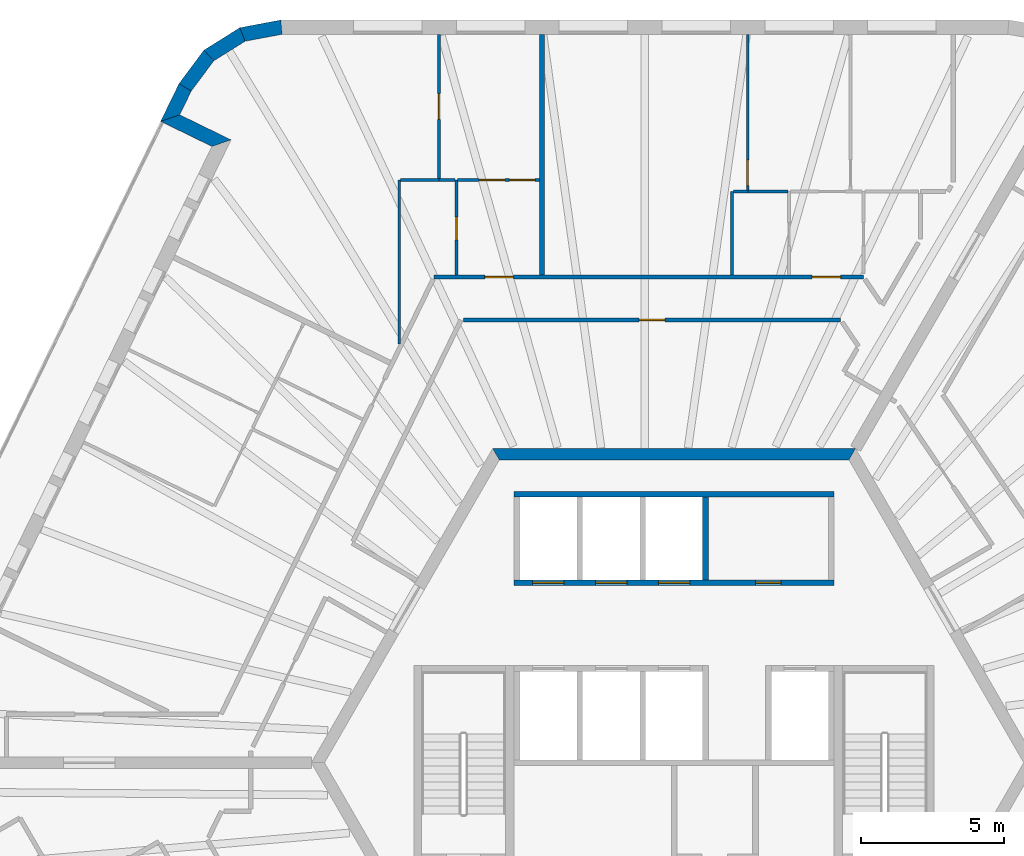
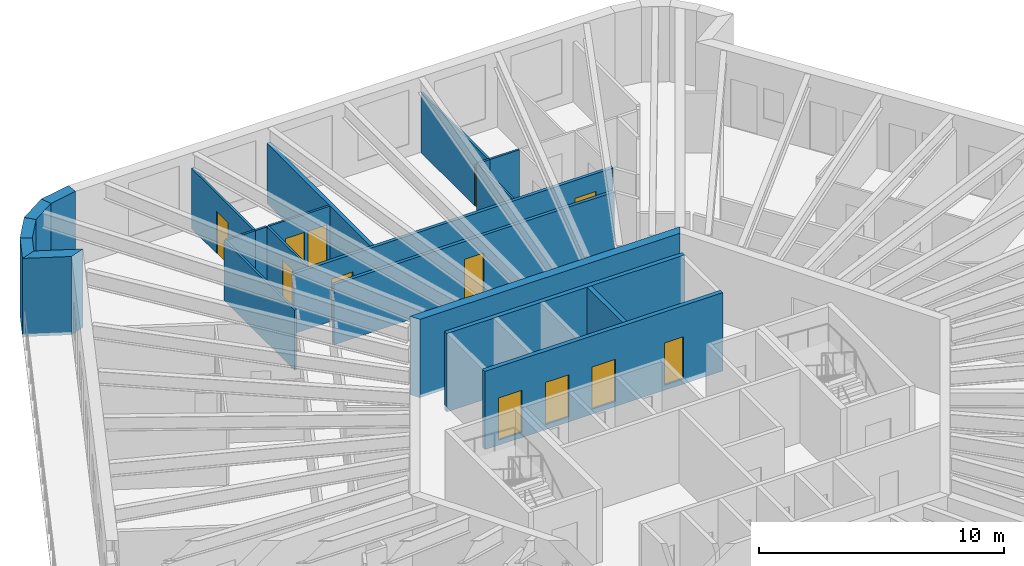
# One storey, part 9 of 12: 22 walls, 12 doors, 12 openings.
"""IFC4 building model written with IfcOpenShell, lengths in metres."""

from ifc_helpers import new_model, si_unit, direction, frame, frame_2d, origin, place, context, subcontext, project, spatial, polyline, rectangle, outline, extrude, material, layer, layer_set, type_object, element, fill, save


model = new_model("IFC4")

# Units and contexts
model_context = context("Model", 3, precision=1e-05, world=origin(), true_north=direction((0.0, 1.0)))
body_context = subcontext(model_context, "Body", "Model", "MODEL_VIEW")
ifc_project = project(units=[si_unit("LENGTHUNIT", "METRE"), si_unit("AREAUNIT", "SQUARE_METRE"), si_unit("VOLUMEUNIT", "CUBIC_METRE"), si_unit("PLANEANGLEUNIT", "RADIAN"), si_unit("MASSUNIT", "GRAM", prefix="KILO")], contexts=[model_context])

# Site, building, storey
site_placement = place(None, origin())
site = spatial("IfcSite", under=ifc_project, at=site_placement, CompositionType="ELEMENT")
building_placement = place(site_placement, origin())
building = spatial("IfcBuilding", under=site, at=building_placement, Name="Tarnside Tower", CompositionType="ELEMENT")
storey_placement = place(building_placement, frame((0.0, 0.0, 271.800048828125)))
storey = spatial("IfcBuildingStorey", under=building, at=storey_placement, Name="L65", CompositionType="ELEMENT", Elevation=271.800048828125)

# Walls
ifc_material_1 = material(Name="Gypsum board partition on steel studs", Category="steel")
ifc_layer_1 = layer(ifc_material_1, 0.10009765625)
ifc_layer_set_1 = layer_set([ifc_layer_1], Name="Bathroom wall 100")
wall_type_1 = type_object("IfcWallType", Name="Bathroom wall 100", PredefinedType="PARTITIONING", material=ifc_layer_set_1)
wall_1_placement = place(storey_placement, frame((2.026611328125, 17.074951171875, 0.0), z_axis=(0.0, 0.0, 1.0), x_axis=(0.0, 1.0, 0.0)))
element("IfcWall", 1, at=wall_1_placement, inside=storey, type_object=wall_type_1, Name="Bathroom wall 21086", PredefinedType="PARTITIONING", context=body_context, shape_type="SweptSolid", body=[
    extrude(rectangle(XDim=2.925048828125, YDim=0.10009765625, at=frame_2d((1.46240234375, 0.0))), origin(), (0.0, 0.0, 1.0), 2.98779296875),
])
wall_2_placement = place(storey_placement, frame((2.07666015625, 20.0, 0.0), z_axis=(0.0, 0.0, 1.0), x_axis=(1.0, 0.0, 0.0)))
element("IfcWall", 2, at=wall_2_placement, inside=storey, type_object=wall_type_1, Name="Bathroom wall 21087", PredefinedType="PARTITIONING", context=body_context, shape_type="SweptSolid", body=[
    extrude(rectangle(XDim=0.50048828125, YDim=0.10009765625, at=frame_2d((0.250244140625, 0.0))), origin(), (0.0, 0.0, 1.0), 2.98779296875),
])
wall_3_placement = place(storey_placement, frame((3.978515625, 20.0, 0.0), z_axis=(0.0, 0.0, 1.0), x_axis=(-1.0, 0.0, 0.0)))
element("IfcWall", 3, at=wall_3_placement, inside=storey, type_object=wall_type_1, Name="Bathroom wall 21095", PredefinedType="PARTITIONING", context=body_context, shape_type="SweptSolid", body=[
    extrude(rectangle(XDim=1.4033203125, YDim=0.10009765625, at=frame_2d((0.70166015625, 0.0))), origin(), (0.0, 0.0, 1.0), 2.98779296875),
])
wall_4_placement = place(storey_placement, frame((-9.624755859375, 14.655029296875, 0.0), z_axis=(0.0, 0.0, 1.0), x_axis=(0.0, 1.0, 0.0)))
element("IfcWall", 4, at=wall_4_placement, inside=storey, type_object=wall_type_1, Name="Bathroom wall 21098", PredefinedType="PARTITIONING", context=body_context, shape_type="SweptSolid", body=[
    extrude(rectangle(XDim=5.744873046875, YDim=0.10009765625, at=frame_2d((2.87255859375, 0.0))), origin(), (0.0, 0.0, 1.0), 2.98779296875),
])
wall_5_placement = place(storey_placement, frame((-9.57470703125, 20.39990234375, 0.0), z_axis=(0.0, 0.0, 1.0), x_axis=(1.0, 0.0, 0.0)))
element("IfcWall", 5, at=wall_5_placement, inside=storey, type_object=wall_type_1, Name="Bathroom wall 21099", PredefinedType="PARTITIONING", context=body_context, shape_type="SweptSolid", body=[
    extrude(rectangle(XDim=1.351806640625, YDim=0.10009765625, at=frame_2d((0.67578125, 0.0))), origin(), (0.0, 0.0, 1.0), 2.98779296875),
])

# Wall, opening, door
wall_6_placement = place(storey_placement, frame((-7.624755859375, 20.39990234375, 0.0), z_axis=(0.0, 0.0, 1.0), x_axis=(0.0, -1.0, 0.0)))
wall_6 = element("IfcWall", 6, at=wall_6_placement, inside=storey, type_object=wall_type_1, Name="Bathroom wall 21103", PredefinedType="PARTITIONING", context=body_context, shape_type="SweptSolid", body=[
    extrude(rectangle(XDim=3.324951171875, YDim=0.10009765625, at=frame_2d((1.66259765625, 0.0))), origin(), (0.0, 0.0, 1.0), 2.98779296875),
])
opening_1_placement = place(wall_6_placement, frame((1.300048828125, 0.0, 0.0)))
opening_1 = element("IfcOpeningElement", 7, at=opening_1_placement, cuts=wall_6, Name="Opening D-B1", PredefinedType="OPENING", context=body_context, shape_type="SweptSolid", body=[
    extrude(rectangle(XDim=0.800048828125, YDim=2.10009765625, at=frame_2d((0.39990234375, 1.050048828125))), frame((0.0, 0.06005859375, 0.0), z_axis=(0.0, -1.0, 0.0), x_axis=(1.0, 0.0, 0.0)), (0.0, 0.0, 1.0), 0.1201171875),
])
ifc_material_2 = material(Name="Timber door leaf", Category="wood")
door_type_1 = type_object("IfcDoorType", Name="Bathroom door 800", OperationType="NOTDEFINED", PredefinedType="DOOR", material=ifc_material_2)
door_1_placement = place(opening_1_placement, origin())
door_1 = element("IfcDoor", 8, at=door_1_placement, inside=storey, type_object=door_type_1, Name="Bathroom door 21013", OperationType="SINGLE_SWING_LEFT", OverallHeight=2.10009765625, OverallWidth=0.800048828125, PredefinedType="DOOR", context=body_context, shape_type="SweptSolid", body=[
    extrude(rectangle(XDim=0.800048828125, YDim=2.10009765625, at=frame_2d((0.39990234375, 1.050048828125))), frame((0.0, 0.02490234375, 0.0), z_axis=(0.0, -1.0, 0.0), x_axis=(1.0, 0.0, 0.0)), (0.0, 0.0, 1.0), 0.050048828125),
])
fill(opening_1, door_1)

# Walls
wall_7_placement = place(storey_placement, frame((-7.6728515625, 20.39990234375, 0.0), z_axis=(0.0, 0.0, 1.0), x_axis=(-1.0, 0.0, 0.0)))
element("IfcWall", 9, at=wall_7_placement, inside=storey, type_object=wall_type_1, Name="Bathroom wall 21105", PredefinedType="PARTITIONING", context=body_context, shape_type="SweptSolid", body=[
    extrude(rectangle(XDim=0.552001953125, YDim=0.10009765625, at=frame_2d((0.27587890625, 0.0))), origin(), (0.0, 0.0, 1.0), 2.98779296875),
])
ifc_material_3 = material(Name="Concrete C60/75", Category="concrete")
ifc_layer_2 = layer(ifc_material_3, 0.39990234375)
ifc_layer_set_2 = layer_set([ifc_layer_2], Name="Core wall Z3 400 C60/75")
wall_type_2 = type_object("IfcWallType", Name="Core wall Z3 400 C60/75", PredefinedType="SHEAR", material=ifc_layer_set_2)
wall_8_placement = place(storey_placement, frame((6.2353515625, 10.800048828125, -0.150146484375), z_axis=(0.0, 0.0, 1.0), x_axis=(-1.0, 0.0, 0.0)))
element("IfcWall", 10, at=wall_8_placement, inside=storey, type_object=wall_type_2, Name="L65 core wall face 1", PredefinedType="SHEAR", context=body_context, shape_type="SweptSolid", body=[
    extrude(outline(polyline([(-0.115478515625, -0.199951171875), (12.586181640625, -0.199951171875), (12.355224609375, 0.199951171875), (0.115478515625, 0.199951171875), (-0.115478515625, -0.199951171875)])), origin(), (0.0, 0.0, 1.0), 3.900146484375),
])

# Wall, openings, doors
ifc_layer_3 = layer(ifc_material_1, 0.14990234375)
ifc_layer_set_3 = layer_set([ifc_layer_3], Name="Corridor wall 150 EI 60")
wall_type_3 = type_object("IfcWallType", Name="Corridor wall 150 EI 60", PredefinedType="PARTITIONING", material=ifc_layer_set_3)
wall_9_placement = place(storey_placement, frame((6.626708984375, 17.0, 0.0), z_axis=(0.0, 0.0, 1.0), x_axis=(-1.0, 0.0, 0.0)))
wall_9 = element("IfcWall", 11, at=wall_9_placement, inside=storey, type_object=wall_type_3, Name="Corridor wall 21001", PredefinedType="PARTITIONING", context=body_context, shape_type="SweptSolid", body=[
    extrude(rectangle(XDim=15.024169921875, YDim=0.14990234375, at=frame_2d((7.51220703125, 0.0))), origin(), (0.0, 0.0, 1.0), 2.98779296875),
])
opening_2_placement = place(wall_9_placement, frame((0.800048828125, 0.0, 0.0)))
opening_2 = element("IfcOpeningElement", 12, at=opening_2_placement, cuts=wall_9, Name="Opening D-E1", PredefinedType="OPENING", context=body_context, shape_type="SweptSolid", body=[
    extrude(rectangle(XDim=1.0, YDim=2.10009765625, at=frame_2d((0.5, 1.050048828125))), frame((0.0, 0.0849609375, 0.0), z_axis=(0.0, -1.0, 0.0), x_axis=(1.0, 0.0, 0.0)), (0.0, 0.0, 1.0), 0.169921875),
])
opening_3_placement = place(wall_9_placement, frame((12.25146484375, 0.0, 0.0)))
opening_3 = element("IfcOpeningElement", 13, at=opening_3_placement, cuts=wall_9, Name="Opening D-E1", PredefinedType="OPENING", context=body_context, shape_type="SweptSolid", body=[
    extrude(rectangle(XDim=1.0, YDim=2.10009765625, at=frame_2d((0.5, 1.050048828125))), frame((0.0, 0.0849609375, 0.0), z_axis=(0.0, -1.0, 0.0), x_axis=(1.0, 0.0, 0.0)), (0.0, 0.0, 1.0), 0.169921875),
])
door_type_2 = type_object("IfcDoorType", Name="Unit entrance door 1000 FD30S", OperationType="NOTDEFINED", PredefinedType="DOOR", material=ifc_material_2)
door_2_placement = place(opening_2_placement, origin())
door_2 = element("IfcDoor", 14, at=door_2_placement, inside=storey, type_object=door_type_2, Name="Unit door 21001", OperationType="SINGLE_SWING_LEFT", OverallHeight=2.10009765625, OverallWidth=1.0, PredefinedType="DOOR", context=body_context, shape_type="SweptSolid", body=[
    extrude(rectangle(XDim=1.0, YDim=2.10009765625, at=frame_2d((0.5, 1.050048828125))), frame((0.0, 0.02490234375, 0.0), z_axis=(0.0, -1.0, 0.0), x_axis=(1.0, 0.0, 0.0)), (0.0, 0.0, 1.0), 0.050048828125),
])
fill(opening_2, door_2)
door_3_placement = place(opening_3_placement, origin())
door_3 = element("IfcDoor", 15, at=door_3_placement, inside=storey, type_object=door_type_2, Name="Unit door 21012", OperationType="SINGLE_SWING_LEFT", OverallHeight=2.10009765625, OverallWidth=1.0, PredefinedType="DOOR", context=body_context, shape_type="SweptSolid", body=[
    extrude(rectangle(XDim=1.0, YDim=2.10009765625, at=frame_2d((0.5, 1.050048828125))), frame((0.0, 0.02490234375, 0.0), z_axis=(0.0, -1.0, 0.0), x_axis=(1.0, 0.0, 0.0)), (0.0, 0.0, 1.0), 0.050048828125),
])
fill(opening_3, door_3)

# Wall, opening, door
wall_10_placement = place(storey_placement, frame((-7.376708984375, 15.5, 0.0), z_axis=(0.0, 0.0, 1.0), x_axis=(1.0, 0.0, 0.0)))
wall_10 = element("IfcWall", 16, at=wall_10_placement, inside=storey, type_object=wall_type_3, Name="Corridor wall 21022", PredefinedType="PARTITIONING", context=body_context, shape_type="SweptSolid", body=[
    extrude(rectangle(XDim=13.205810546875, YDim=0.14990234375, at=frame_2d((6.60302734375, 0.0))), origin(), (0.0, 0.0, 1.0), 2.98779296875),
])
opening_4_placement = place(wall_10_placement, frame((6.15283203125, 0.0, 0.0)))
opening_4 = element("IfcOpeningElement", 17, at=opening_4_placement, cuts=wall_10, Name="Opening D-S1", PredefinedType="OPENING", context=body_context, shape_type="SweptSolid", body=[
    extrude(rectangle(XDim=0.89990234375, YDim=2.10009765625, at=frame_2d((0.449951171875, 1.050048828125))), frame((0.0, 0.0849609375, 0.0), z_axis=(0.0, -1.0, 0.0), x_axis=(1.0, 0.0, 0.0)), (0.0, 0.0, 1.0), 0.169921875),
])
door_type_3 = type_object("IfcDoorType", Name="Service room door 900 FD30S", OperationType="NOTDEFINED", PredefinedType="DOOR", material=ifc_material_2)
door_4_placement = place(opening_4_placement, origin())
door_4 = element("IfcDoor", 18, at=door_4_placement, inside=storey, type_object=door_type_3, Name="Service door 21069", OperationType="SINGLE_SWING_LEFT", OverallHeight=2.10009765625, OverallWidth=0.89990234375, PredefinedType="DOOR", context=body_context, shape_type="SweptSolid", body=[
    extrude(rectangle(XDim=0.89990234375, YDim=2.10009765625, at=frame_2d((0.449951171875, 1.050048828125))), frame((0.0, 0.02490234375, 0.0), z_axis=(0.0, -1.0, 0.0), x_axis=(1.0, 0.0, 0.0)), (0.0, 0.0, 1.0), 0.050048828125),
])
fill(opening_4, door_4)

# Wall
ifc_layer_4 = layer(ifc_material_1, 0.179931640625)
ifc_layer_set_4 = layer_set([ifc_layer_4], Name="Demising wall 180 EI 60")
wall_type_4 = type_object("IfcWallType", Name="Demising wall 180 EI 60", PredefinedType="PARTITIONING", material=ifc_layer_set_4)
wall_11_placement = place(storey_placement, frame((-4.624755859375, 25.5, 0.0), z_axis=(0.0, 0.0, 1.0), x_axis=(0.0, -1.0, 0.0)))
element("IfcWall", 19, at=wall_11_placement, inside=storey, type_object=wall_type_4, Name="Demising wall 21089", PredefinedType="PARTITIONING", context=body_context, shape_type="SweptSolid", body=[
    extrude(rectangle(XDim=8.425048828125, YDim=0.179931640625, at=frame_2d((4.21240234375, 0.0))), origin(), (0.0, 0.0, 1.0), 2.98779296875),
])

# Wall, openings, doors
ifc_material_4 = material(Name="Concrete C40/50", Category="concrete")
ifc_layer_5 = layer(ifc_material_4, 0.199951171875)
ifc_layer_set_5 = layer_set([ifc_layer_5], Name="Lift shaft wall 200 C40/50")
wall_type_5 = type_object("IfcWallType", Name="Lift shaft wall 200 C40/50", PredefinedType="SHEAR", material=ifc_layer_set_5)
wall_12_placement = place(storey_placement, frame((-5.60009765625, 6.300048828125, -0.25), z_axis=(0.0, 0.0, 1.0), x_axis=(1.0, 0.0, 0.0)))
wall_12 = element("IfcWall", 20, at=wall_12_placement, inside=storey, type_object=wall_type_5, Name="L65 lift shaft front wall R1", PredefinedType="SHEAR", context=body_context, shape_type="SweptSolid", body=[
    extrude(rectangle(XDim=11.2001953125, YDim=0.199951171875, at=frame_2d((5.60009765625, 0.0))), origin(), (0.0, 0.0, 1.0), 3.89990234375),
])
opening_5_placement = place(wall_12_placement, frame((8.449951171875, 0.0, 0.25)))
opening_5 = element("IfcOpeningElement", 21, at=opening_5_placement, cuts=wall_12, Name="Opening CD-room", PredefinedType="OPENING", context=body_context, shape_type="SweptSolid", body=[
    extrude(rectangle(XDim=0.89990234375, YDim=2.10009765625, at=frame_2d((0.449951171875, 1.050048828125))), frame((0.0, 0.10986328125, 0.0), z_axis=(0.0, -1.0, 0.0), x_axis=(1.0, 0.0, 0.0)), (0.0, 0.0, 1.0), 0.219970703125),
])
opening_6_placement = place(wall_12_placement, frame((0.64990234375, 0.0, 0.25)))
opening_6 = element("IfcOpeningElement", 22, at=opening_6_placement, cuts=wall_12, Name="Opening LD", PredefinedType="OPENING", context=body_context, shape_type="SweptSolid", body=[
    extrude(rectangle(XDim=1.10009765625, YDim=2.10009765625, at=frame_2d((0.550048828125, 1.050048828125))), frame((0.0, 0.10986328125, 0.0), z_axis=(0.0, -1.0, 0.0), x_axis=(1.0, 0.0, 0.0)), (0.0, 0.0, 1.0), 0.219970703125),
])
opening_7_placement = place(wall_12_placement, frame((2.85009765625, 0.0, 0.25)))
opening_7 = element("IfcOpeningElement", 23, at=opening_7_placement, cuts=wall_12, Name="Opening LD", PredefinedType="OPENING", context=body_context, shape_type="SweptSolid", body=[
    extrude(rectangle(XDim=1.10009765625, YDim=2.10009765625, at=frame_2d((0.550048828125, 1.050048828125))), frame((0.0, 0.10986328125, 0.0), z_axis=(0.0, -1.0, 0.0), x_axis=(1.0, 0.0, 0.0)), (0.0, 0.0, 1.0), 0.219970703125),
])
opening_8_placement = place(wall_12_placement, frame((5.050048828125, 0.0, 0.25)))
opening_8 = element("IfcOpeningElement", 24, at=opening_8_placement, cuts=wall_12, Name="Opening LD", PredefinedType="OPENING", context=body_context, shape_type="SweptSolid", body=[
    extrude(rectangle(XDim=1.10009765625, YDim=2.10009765625, at=frame_2d((0.550048828125, 1.050048828125))), frame((0.0, 0.10986328125, 0.0), z_axis=(0.0, -1.0, 0.0), x_axis=(1.0, 0.0, 0.0)), (0.0, 0.0, 1.0), 0.219970703125),
])
ifc_material_5 = material(Name="Stainless steel", Category="steel")
door_type_4 = type_object("IfcDoorType", Name="Lift landing door 1100x2100", OperationType="NOTDEFINED", PredefinedType="DOOR", material=ifc_material_5)
door_5_placement = place(opening_6_placement, origin())
door_5 = element("IfcDoor", 25, at=door_5_placement, inside=storey, type_object=door_type_4, Name="High-rise lift 1 landing door L65", OperationType="SLIDING_TO_LEFT", OverallHeight=2.10009765625, OverallWidth=1.10009765625, PredefinedType="DOOR", context=body_context, shape_type="SweptSolid", body=[
    extrude(rectangle(XDim=1.10009765625, YDim=2.10009765625, at=frame_2d((0.550048828125, 1.050048828125))), frame((0.0, 0.02490234375, 0.0), z_axis=(0.0, -1.0, 0.0), x_axis=(1.0, 0.0, 0.0)), (0.0, 0.0, 1.0), 0.050048828125),
])
fill(opening_6, door_5)
door_6_placement = place(opening_7_placement, origin())
door_6 = element("IfcDoor", 26, at=door_6_placement, inside=storey, type_object=door_type_4, Name="High-rise lift 2 landing door L65", OperationType="SLIDING_TO_LEFT", OverallHeight=2.10009765625, OverallWidth=1.10009765625, PredefinedType="DOOR", context=body_context, shape_type="SweptSolid", body=[
    extrude(rectangle(XDim=1.10009765625, YDim=2.10009765625, at=frame_2d((0.550048828125, 1.050048828125))), frame((0.0, 0.02490234375, 0.0), z_axis=(0.0, -1.0, 0.0), x_axis=(1.0, 0.0, 0.0)), (0.0, 0.0, 1.0), 0.050048828125),
])
fill(opening_7, door_6)
door_7_placement = place(opening_8_placement, origin())
door_7 = element("IfcDoor", 27, at=door_7_placement, inside=storey, type_object=door_type_4, Name="High-rise lift 3 landing door L65", OperationType="SLIDING_TO_LEFT", OverallHeight=2.10009765625, OverallWidth=1.10009765625, PredefinedType="DOOR", context=body_context, shape_type="SweptSolid", body=[
    extrude(rectangle(XDim=1.10009765625, YDim=2.10009765625, at=frame_2d((0.550048828125, 1.050048828125))), frame((0.0, 0.02490234375, 0.0), z_axis=(0.0, -1.0, 0.0), x_axis=(1.0, 0.0, 0.0)), (0.0, 0.0, 1.0), 0.050048828125),
])
fill(opening_8, door_7)
ifc_material_6 = material(Name="Steel fire door", Category="steel")
door_type_5 = type_object("IfcDoorType", Name="Room door FD60 900x2100", OperationType="NOTDEFINED", PredefinedType="DOOR", material=ifc_material_6)
door_8_placement = place(opening_5_placement, origin())
door_8 = element("IfcDoor", 28, at=door_8_placement, inside=storey, type_object=door_type_5, Name="L65 core room door FC1", OperationType="SINGLE_SWING_LEFT", OverallHeight=2.10009765625, OverallWidth=0.89990234375, PredefinedType="DOOR", context=body_context, shape_type="SweptSolid", body=[
    extrude(rectangle(XDim=0.89990234375, YDim=2.10009765625, at=frame_2d((0.449951171875, 1.050048828125))), frame((0.0, 0.02490234375, 0.0), z_axis=(0.0, -1.0, 0.0), x_axis=(1.0, 0.0, 0.0)), (0.0, 0.0, 1.0), 0.050048828125),
])
fill(opening_5, door_8)

# Walls
wall_13_placement = place(storey_placement, frame((-5.60009765625, 9.39990234375, -0.25), z_axis=(0.0, 0.0, 1.0), x_axis=(1.0, 0.0, 0.0)))
element("IfcWall", 29, at=wall_13_placement, inside=storey, type_object=wall_type_5, Name="L65 lift shaft back wall R1", PredefinedType="SHEAR", context=body_context, shape_type="SweptSolid", body=[
    extrude(rectangle(XDim=11.2001953125, YDim=0.199951171875, at=frame_2d((5.60009765625, 0.0))), origin(), (0.0, 0.0, 1.0), 3.89990234375),
])
wall_14_placement = place(storey_placement, frame((1.10009765625, 6.39990234375, -0.25), z_axis=(0.0, 0.0, 1.0), x_axis=(0.0, 1.0, 0.0)))
element("IfcWall", 30, at=wall_14_placement, inside=storey, type_object=wall_type_5, Name="L65 lift shaft partition R14", PredefinedType="SHEAR", context=body_context, shape_type="SweptSolid", body=[
    extrude(rectangle(XDim=2.900146484375, YDim=0.199951171875, at=frame_2d((1.4501953125, 0.0))), origin(), (0.0, 0.0, 1.0), 3.89990234375),
])
ifc_material_7 = material(Name="Dark zinc cladding")
ifc_layer_6 = layer(ifc_material_7, 0.10205078125)
ifc_material_8 = material(Name="Concrete C60/75 precast", Category="concrete")
ifc_layer_7 = layer(ifc_material_8, 0.298095703125)
ifc_material_9 = material(Name="Mineral wool insulation")
ifc_layer_8 = layer(ifc_material_9, 0.10009765625)
ifc_layer_set_6 = layer_set([ifc_layer_6, ifc_layer_7, ifc_layer_8], Name="Loggia wall 500 zinc faced")
wall_type_6 = type_object("IfcWallType", Name="Loggia wall 500 zinc faced", PredefinedType="SOLIDWALL", material=ifc_layer_set_6)
wall_15_placement = place(storey_placement, frame((-17.11767578125, 23.643798828125, -0.150146484375), z_axis=(0.0, 0.0, 1.0), x_axis=(-0.438319390103, -0.898819287877, 0.0)))
element("IfcWall", 31, at=wall_15_placement, inside=storey, type_object=wall_type_6, Name="Tube wall L65 F2 stub 04", PredefinedType="SOLIDWALL", context=body_context, shape_type="SweptSolid", body=[
    extrude(outline(polyline([(-0.0234375, -0.25), (1.44970703125, -0.25), (0.94970703125, 0.25), (0.0234375, 0.25), (-0.0234375, -0.25)])), origin(), (0.0, 0.0, 1.0), 3.900146484375),
])
wall_16_placement = place(storey_placement, frame((-17.6435546875, 22.5654296875, -0.150146484375), z_axis=(0.0, 0.0, 1.0), x_axis=(0.898754367686, -0.43845249066, 0.0)))
element("IfcWall", 32, at=wall_16_placement, inside=storey, type_object=wall_type_6, Name="Tube wall L65 F2 return 05", PredefinedType="SOLIDWALL", context=body_context, shape_type="SweptSolid", body=[
    extrude(outline(polyline([(-0.25, -0.25), (1.75, -0.25), (2.25, 0.25), (0.25, 0.25), (-0.25, -0.25)])), origin(), (0.0, 0.0, 1.0), 3.900146484375),
])

# Wall, opening, door
ifc_layer_9 = layer(ifc_material_1, 0.10009765625)
ifc_layer_set_7 = layer_set([ifc_layer_9], Name="Partition 100")
wall_type_7 = type_object("IfcWallType", Name="Partition 100", PredefinedType="PARTITIONING", material=ifc_layer_set_7)
wall_17_placement = place(storey_placement, frame((2.5751953125, 20.050048828125, 0.0), z_axis=(0.0, 0.0, 1.0), x_axis=(0.0, 1.0, 0.0)))
wall_17 = element("IfcWall", 33, at=wall_17_placement, inside=storey, type_object=wall_type_7, Name="Partition wall 21088", PredefinedType="PARTITIONING", context=body_context, shape_type="SweptSolid", body=[
    extrude(rectangle(XDim=5.449951171875, YDim=0.10009765625, at=frame_2d((2.72509765625, 0.0))), origin(), (0.0, 0.0, 1.0), 2.98779296875),
])
opening_9_placement = place(wall_17_placement, frame((0.14990234375, 0.0, 0.0)))
opening_9 = element("IfcOpeningElement", 34, at=opening_9_placement, cuts=wall_17, Name="Opening D-I1", PredefinedType="OPENING", context=body_context, shape_type="SweptSolid", body=[
    extrude(rectangle(XDim=0.89990234375, YDim=2.10009765625, at=frame_2d((0.449951171875, 1.050048828125))), frame((0.0, 0.06005859375, 0.0), z_axis=(0.0, -1.0, 0.0), x_axis=(1.0, 0.0, 0.0)), (0.0, 0.0, 1.0), 0.1201171875),
])
door_type_6 = type_object("IfcDoorType", Name="Internal door 900", OperationType="NOTDEFINED", PredefinedType="DOOR", material=ifc_material_2)
door_9_placement = place(opening_9_placement, origin())
door_9 = element("IfcDoor", 35, at=door_9_placement, inside=storey, type_object=door_type_6, Name="Internal door 21010", OperationType="SINGLE_SWING_RIGHT", OverallHeight=2.10009765625, OverallWidth=0.89990234375, PredefinedType="DOOR", context=body_context, shape_type="SweptSolid", body=[
    extrude(rectangle(XDim=0.89990234375, YDim=2.10009765625, at=frame_2d((0.449951171875, 1.050048828125))), frame((0.0, 0.02490234375, 0.0), z_axis=(0.0, -1.0, 0.0), x_axis=(1.0, 0.0, 0.0)), (0.0, 0.0, 1.0), 0.050048828125),
])
fill(opening_9, door_9)

wall_18_placement = place(storey_placement, frame((-8.224853515625, 20.449951171875, 0.0), z_axis=(0.0, 0.0, 1.0), x_axis=(0.0, 1.0, 0.0)))
wall_18 = element("IfcWall", 36, at=wall_18_placement, inside=storey, type_object=wall_type_7, Name="Partition wall 21100", PredefinedType="PARTITIONING", context=body_context, shape_type="SweptSolid", body=[
    extrude(rectangle(XDim=5.050048828125, YDim=0.10009765625, at=frame_2d((2.52490234375, 0.0))), origin(), (0.0, 0.0, 1.0), 2.98779296875),
])
opening_10_placement = place(wall_18_placement, frame((2.074951171875, 0.0, 0.0)))
opening_10 = element("IfcOpeningElement", 37, at=opening_10_placement, cuts=wall_18, Name="Opening D-I1", PredefinedType="OPENING", context=body_context, shape_type="SweptSolid", body=[
    extrude(rectangle(XDim=0.89990234375, YDim=2.10009765625, at=frame_2d((0.449951171875, 1.050048828125))), frame((0.0, 0.06005859375, 0.0), z_axis=(0.0, -1.0, 0.0), x_axis=(1.0, 0.0, 0.0)), (0.0, 0.0, 1.0), 0.1201171875),
])
door_10_placement = place(opening_10_placement, origin())
door_10 = element("IfcDoor", 38, at=door_10_placement, inside=storey, type_object=door_type_6, Name="Internal door 21068", OperationType="SINGLE_SWING_RIGHT", OverallHeight=2.10009765625, OverallWidth=0.89990234375, PredefinedType="DOOR", context=body_context, shape_type="SweptSolid", body=[
    extrude(rectangle(XDim=0.89990234375, YDim=2.10009765625, at=frame_2d((0.449951171875, 1.050048828125))), frame((0.0, 0.02490234375, 0.0), z_axis=(0.0, -1.0, 0.0), x_axis=(1.0, 0.0, 0.0)), (0.0, 0.0, 1.0), 0.050048828125),
])
fill(opening_10, door_10)

# Wall, openings, doors
wall_19_placement = place(storey_placement, frame((-4.71484375, 20.39990234375, 0.0), z_axis=(0.0, 0.0, 1.0), x_axis=(-1.0, 0.0, 0.0)))
wall_19 = element("IfcWall", 39, at=wall_19_placement, inside=storey, type_object=wall_type_7, Name="Partition wall 21104", PredefinedType="PARTITIONING", context=body_context, shape_type="SweptSolid", body=[
    extrude(rectangle(XDim=2.862060546875, YDim=0.10009765625, at=frame_2d((1.43115234375, 0.0))), origin(), (0.0, 0.0, 1.0), 2.98779296875),
])
opening_11_placement = place(wall_19_placement, frame((0.14990234375, 0.0, 0.0)))
opening_11 = element("IfcOpeningElement", 40, at=opening_11_placement, cuts=wall_19, Name="Opening D-I1", PredefinedType="OPENING", context=body_context, shape_type="SweptSolid", body=[
    extrude(rectangle(XDim=0.89990234375, YDim=2.10009765625, at=frame_2d((0.449951171875, 1.050048828125))), frame((0.0, 0.06005859375, 0.0), z_axis=(0.0, -1.0, 0.0), x_axis=(1.0, 0.0, 0.0)), (0.0, 0.0, 1.0), 0.1201171875),
])
opening_12_placement = place(wall_19_placement, frame((1.2099609375, 0.0, 0.0)))
opening_12 = element("IfcOpeningElement", 41, at=opening_12_placement, cuts=wall_19, Name="Opening D-I1", PredefinedType="OPENING", context=body_context, shape_type="SweptSolid", body=[
    extrude(rectangle(XDim=0.89990234375, YDim=2.10009765625, at=frame_2d((0.449951171875, 1.050048828125))), frame((0.0, 0.06005859375, 0.0), z_axis=(0.0, -1.0, 0.0), x_axis=(1.0, 0.0, 0.0)), (0.0, 0.0, 1.0), 0.1201171875),
])
door_11_placement = place(opening_11_placement, origin())
door_11 = element("IfcDoor", 42, at=door_11_placement, inside=storey, type_object=door_type_6, Name="Internal door 21015", OperationType="SINGLE_SWING_LEFT", OverallHeight=2.10009765625, OverallWidth=0.89990234375, PredefinedType="DOOR", context=body_context, shape_type="SweptSolid", body=[
    extrude(rectangle(XDim=0.89990234375, YDim=2.10009765625, at=frame_2d((0.449951171875, 1.050048828125))), frame((0.0, 0.02490234375, 0.0), z_axis=(0.0, -1.0, 0.0), x_axis=(1.0, 0.0, 0.0)), (0.0, 0.0, 1.0), 0.050048828125),
])
fill(opening_11, door_11)
door_12_placement = place(opening_12_placement, origin())
door_12 = element("IfcDoor", 43, at=door_12_placement, inside=storey, type_object=door_type_6, Name="Internal door 21016", OperationType="SINGLE_SWING_LEFT", OverallHeight=2.10009765625, OverallWidth=0.89990234375, PredefinedType="DOOR", context=body_context, shape_type="SweptSolid", body=[
    extrude(rectangle(XDim=0.89990234375, YDim=2.10009765625, at=frame_2d((0.449951171875, 1.050048828125))), frame((0.0, 0.02490234375, 0.0), z_axis=(0.0, -1.0, 0.0), x_axis=(1.0, 0.0, 0.0)), (0.0, 0.0, 1.0), 0.050048828125),
])
fill(opening_12, door_12)

# Walls
ifc_material_10 = material(Name="Facing brick", Category="masonry")
ifc_layer_10 = layer(ifc_material_10, 0.10205078125)
ifc_layer_11 = layer(ifc_material_8, 0.298095703125)
ifc_layer_12 = layer(ifc_material_9, 0.10009765625)
ifc_layer_set_8 = layer_set([ifc_layer_10, ifc_layer_11, ifc_layer_12], Name="Tube wall 500 brick faced")
wall_type_8 = type_object("IfcWallType", Name="Tube wall 500 brick faced", PredefinedType="SOLIDWALL", material=ifc_layer_set_8)
wall_20_placement = place(storey_placement, frame((-13.7470703125, 25.75, -0.150146484375), z_axis=(0.0, 0.0, 1.0), x_axis=(-0.982736538448, -0.185010529429, 0.0)))
element("IfcWall", 44, at=wall_20_placement, inside=storey, type_object=wall_type_8, Name="Tube wall L65 F1 chord 01", PredefinedType="SOLIDWALL", context=body_context, shape_type="SweptSolid", body=[
    extrude(outline(polyline([(-0.0234375, -0.25), (1.435302734375, -0.25), (1.341064453125, 0.25), (0.0234375, 0.25), (-0.0234375, -0.25)])), origin(), (0.0, 0.0, 1.0), 3.900146484375),
])
wall_21_placement = place(storey_placement, frame((-15.111328125, 25.4931640625, -0.150146484375), z_axis=(0.0, 0.0, 1.0), x_axis=(-0.847978544293, -0.530030554231, 0.0)))
element("IfcWall", 45, at=wall_21_placement, inside=storey, type_object=wall_type_8, Name="Tube wall L65 F1 chord 02", PredefinedType="SOLIDWALL", context=body_context, shape_type="SweptSolid", body=[
    extrude(outline(polyline([(-0.047119140625, -0.25), (1.435302734375, -0.25), (1.341064453125, 0.25), (0.047119140625, 0.25), (-0.047119140625, -0.25)])), origin(), (0.0, 0.0, 1.0), 3.900146484375),
])
wall_22_placement = place(storey_placement, frame((-16.28857421875, 24.75732421875, -0.150146484375), z_axis=(0.0, 0.0, 1.0), x_axis=(-0.597210785942, -0.802084332945, 0.0)))
element("IfcWall", 46, at=wall_22_placement, inside=storey, type_object=wall_type_8, Name="Tube wall L65 F1 chord 03", PredefinedType="SOLIDWALL", context=body_context, shape_type="SweptSolid", body=[
    extrude(outline(polyline([(-0.047119140625, -0.25), (1.41162109375, -0.25), (1.36474609375, 0.25), (0.047119140625, 0.25), (-0.047119140625, -0.25)])), origin(), (0.0, 0.0, 1.0), 3.900146484375),
])

save(model, "model.ifc")
